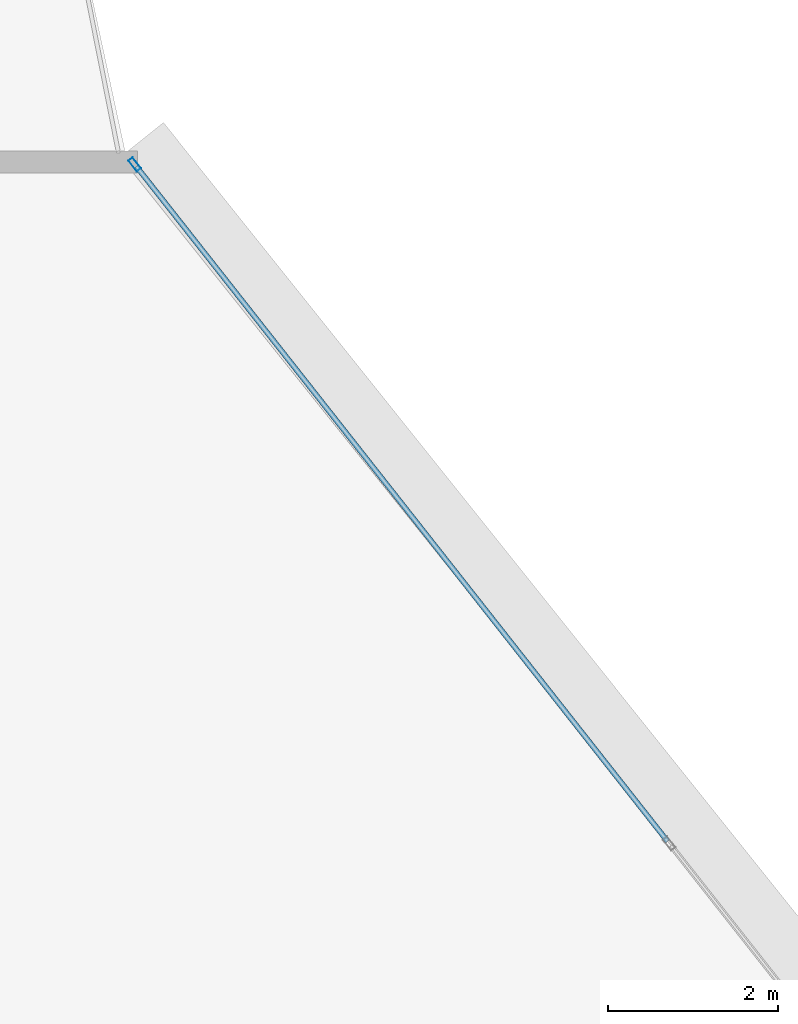
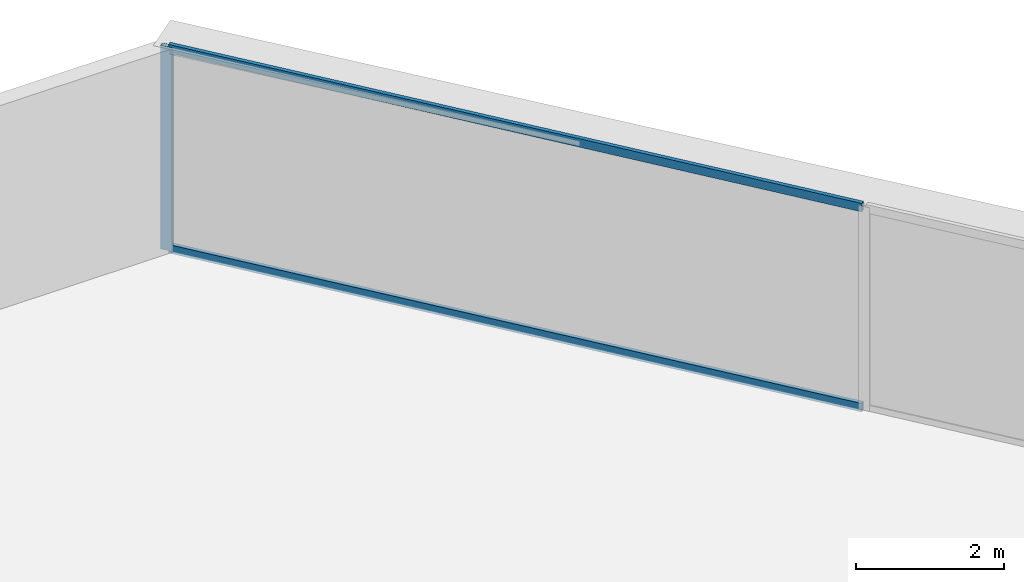
# One storey, part 27 of 38: 3 members, 1 element without a shape of its own.
"""IFC4 building model written with IfcOpenShell, lengths in metres."""

from ifc_helpers import new_model, si_unit, direction, frame, origin, origin_2d, place, context, subcontext, project, spatial, hollow_rectangle, extrude, source, transform, mapped, material, layer, layer_set, material_profile, profile_set, type_object, element, aggregate, save


model = new_model("IFC4")

# Units and contexts
model_context = context("Model", 3, precision=1e-05, world=origin(), true_north=direction((0.0, 1.0)))
body_context = subcontext(model_context, "Body", "Model", "MODEL_VIEW")
ifc_project = project(units=[si_unit("LENGTHUNIT", "METRE"), si_unit("AREAUNIT", "SQUARE_METRE"), si_unit("VOLUMEUNIT", "CUBIC_METRE"), si_unit("PLANEANGLEUNIT", "RADIAN"), si_unit("MASSUNIT", "GRAM", prefix="KILO"), si_unit("THERMODYNAMICTEMPERATUREUNIT", "KELVIN"), si_unit("POWERUNIT", "WATT")], contexts=[model_context])

# Site, building, storey
site_placement = place(None, origin())
site = spatial("IfcSite", under=ifc_project, at=site_placement, CompositionType="ELEMENT")
building_placement = place(site_placement, origin())
building = spatial("IfcBuilding", under=site, at=building_placement, Name="Yunzhuo Pagoda Commons", CompositionType="ELEMENT")
storey_placement = place(building_placement, frame((0.0, 0.0, 34.030029296875)))
storey = spatial("IfcBuildingStorey", under=building, at=storey_placement, Name="L08", CompositionType="ELEMENT", Elevation=34.030029296875)

# Curtain wall, members
ifc_material = material(Name="Anodized aluminium 6063-T6", Category="aluminium")
ifc_layer = layer(ifc_material, 0.1650390625)
ifc_layer_set = layer_set([ifc_layer], Name="Anodized aluminium 6063-T6")
curtain_wall_type = type_object("IfcCurtainWallType", Name="CW-LOW Low-Zone Ribbon Curtain Wall", PredefinedType="NOTDEFINED", material=ifc_layer_set)
curtain_wall_placement = place(storey_placement, origin())
curtain_wall = element("IfcCurtainWall", 1, at=curtain_wall_placement, inside=storey, type_object=curtain_wall_type, Name="L08 curtain wall CW-L08-F2B5", PredefinedType="NOTDEFINED")
ifc_material_profile_1 = material_profile(ifc_material, hollow_rectangle(XDim=0.06005859375, YDim=0.139892578125, WallThickness=0.00341796875, at=origin_2d()), Name="Anodized aluminium 6063-T6")
ifc_profile_set_1 = profile_set([ifc_material_profile_1], Name="Anodized aluminium 6063-T6")
member_type_1 = type_object("IfcMemberType", Name="CW-LOW-T Transom RHS 140x60x3.5", PredefinedType="USERDEFINED", material=ifc_profile_set_1)
shared_shape_1 = source(origin(), body_context, "Body", "SweptSolid", [
    extrude(hollow_rectangle(XDim=0.06005859375, YDim=0.139892578125, WallThickness=0.00341796875, at=origin_2d()), origin(), (0.0, 0.0, 1.0), 10.11669921875),
])
member_1_placement = place(storey_placement, frame((59.0556640625, 80.980224609375, 0.030029296875), z_axis=(-0.618471475788, 0.785807249672, 0.0), x_axis=(-0.785807249672, -0.618471475788, 0.0)))
member_1 = element("IfcMember", 2, at=member_1_placement, type_object=member_type_1, Name="CW transom 2.1", ObjectType="TRANSOM", PredefinedType="USERDEFINED", context=body_context, shape_type="MappedRepresentation", body=[
    mapped(shared_shape_1, transform((0.0, 0.0, 0.0), scale=1.0)),
])
member_2_placement = place(storey_placement, frame((59.0556640625, 80.980224609375, 3.340087890625), z_axis=(-0.618471475788, 0.785807249672, 0.0), x_axis=(-0.785807249672, -0.618471475788, 0.0)))
member_2 = element("IfcMember", 3, at=member_2_placement, type_object=member_type_1, Name="CW transom 2.2", ObjectType="TRANSOM", PredefinedType="USERDEFINED", context=body_context, shape_type="MappedRepresentation", body=[
    mapped(shared_shape_1, transform((0.0, 0.0, 0.0), scale=1.0)),
])
ifc_material_profile_2 = material_profile(ifc_material, hollow_rectangle(XDim=0.06494140625, YDim=0.1650390625, WallThickness=0.00390625, at=origin_2d()), Name="Anodized aluminium 6063-T6")
ifc_profile_set_2 = profile_set([ifc_material_profile_2], Name="Anodized aluminium 6063-T6")
member_type_2 = type_object("IfcMemberType", Name="CW-LOW-M Mullion RHS 165x65x4", PredefinedType="MULLION", material=ifc_profile_set_2)
shared_shape_2 = source(origin(), body_context, "Body", "SweptSolid", [
    extrude(hollow_rectangle(XDim=0.06494140625, YDim=0.1650390625, WallThickness=0.00390625, at=origin_2d()), origin(), (0.0, 0.0, 1.0), 3.369873046875),
])
member_3_placement = place(storey_placement, frame((52.77880859375, 88.955322265625, 0.0), z_axis=(0.0, 0.0, 1.0), x_axis=(-0.785799632369, -0.618481153932, 0.0)))
member_3 = element("IfcMember", 4, at=member_3_placement, type_object=member_type_2, Name="CW mullion 3", PredefinedType="MULLION", context=body_context, shape_type="MappedRepresentation", body=[
    mapped(shared_shape_2, transform((0.0, 0.0, 0.0), scale=1.0)),
])
aggregate(curtain_wall, [member_3, member_1, member_2])

save(model, "model.ifc")
